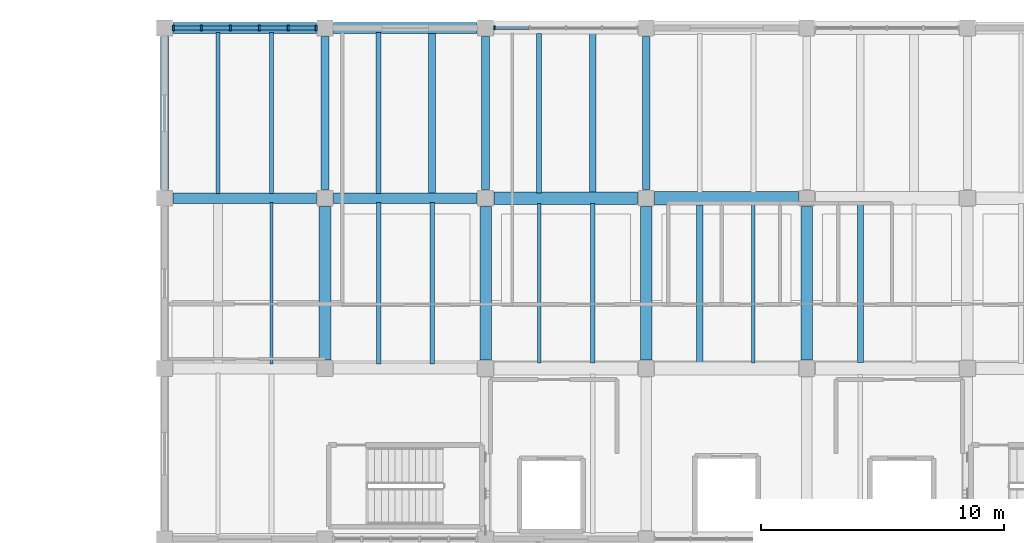
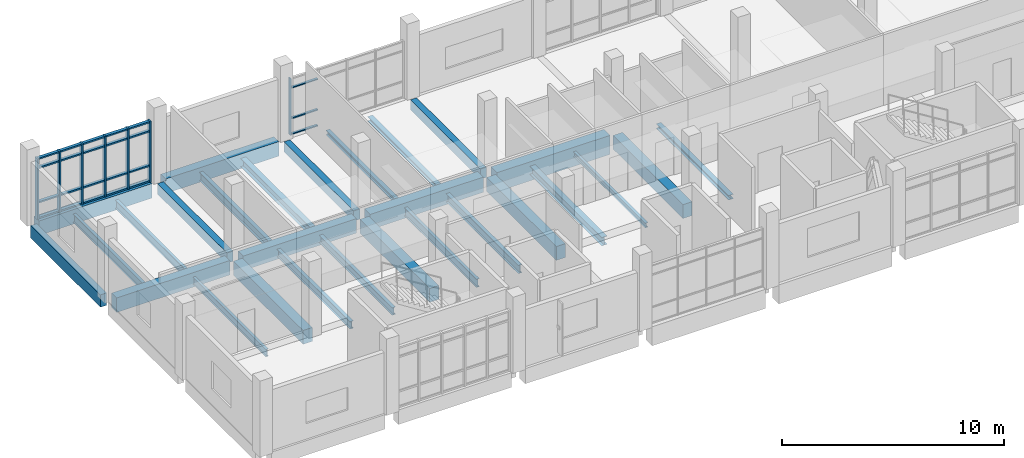
# One storey, part 3 of 16: 30 members, 28 beams, 2 elements without a shape of their own.
"""IFC4 building model written with IfcOpenShell, lengths in metres."""

from ifc_helpers import new_model, si_unit, direction, frame, origin, origin_2d, place, context, subcontext, project, spatial, rectangle, i_section, extrude, material, material_profile, profile_set, type_object, element, aggregate, save


model = new_model("IFC4")

# Units and contexts
model_context = context("Model", 3, precision=1e-05, world=origin(), true_north=direction((0.0, 1.0)))
body_context = subcontext(model_context, "Body", "Model", "MODEL_VIEW")
ifc_project = project(units=[si_unit("LENGTHUNIT", "METRE"), si_unit("AREAUNIT", "SQUARE_METRE"), si_unit("VOLUMEUNIT", "CUBIC_METRE"), si_unit("PLANEANGLEUNIT", "RADIAN"), si_unit("MASSUNIT", "GRAM", prefix="KILO")], contexts=[model_context])

# Site, building, storey
site_placement = place(None, origin())
site = spatial("IfcSite", under=ifc_project, at=site_placement, CompositionType="ELEMENT")
building_placement = place(site_placement, origin())
building = spatial("IfcBuilding", under=site, at=building_placement, Name="Ciguamira Faculty of Natural Sciences", CompositionType="ELEMENT")
storey_placement = place(building_placement, frame((0.0, 0.0, 25.199951171875)))
storey = spatial("IfcBuildingStorey", under=building, at=storey_placement, Name="L06", CompositionType="ELEMENT", Elevation=25.199951171875)

# Curtain wall, member
ifc_material_1 = material(Name="Anodized aluminium curtain wall", Category="aluminium")
curtain_wall_type_1 = type_object("IfcCurtainWallType", Name="CurtainWall_CW-01", PredefinedType="USERDEFINED", material=ifc_material_1)
curtain_wall_1_placement = place(storey_placement, origin())
curtain_wall_1 = element("IfcCurtainWall", 1, at=curtain_wall_1_placement, inside=storey, type_object=curtain_wall_type_1, Name="L06 unitised curtain wall 0145", ObjectType="UNITISED CURTAIN WALL", PredefinedType="USERDEFINED")
ifc_material_2 = material(Name="Anodized aluminium mullion", Category="aluminium")
ifc_material_profile_1 = material_profile(ifc_material_2, rectangle(XDim=0.06005859375, YDim=0.159912109375, at=origin_2d()), Name="ALU-MUL-60X160")
ifc_profile_set_1 = profile_set([ifc_material_profile_1], Name="Anodized aluminium mullion")
member_type_1 = type_object("IfcMemberType", Name="CWMullion_CWM-01", PredefinedType="MULLION", material=ifc_profile_set_1)
member_1_placement = place(storey_placement, frame((77.455078125, 115.0, 0.0), z_axis=(0.0, 0.0, 1.0), x_axis=(1.0, 0.0, 0.0)))
member_1 = element("IfcMember", 2, at=member_1_placement, type_object=member_type_1, Name="CW-01 mullion 1", PredefinedType="MULLION", context=body_context, shape_type="SweptSolid", body=[
    extrude(rectangle(XDim=0.06005859375, YDim=0.159912109375, at=origin_2d()), origin(), (0.0, 0.0, 1.0), 3.135009765625),
])

# Curtain wall, members
curtain_wall_type_2 = type_object("IfcCurtainWallType", Name="CurtainWall_CW-12", PredefinedType="USERDEFINED", material=ifc_material_1)
curtain_wall_2_placement = place(storey_placement, origin())
curtain_wall_2 = element("IfcCurtainWall", 3, at=curtain_wall_2_placement, inside=storey, type_object=curtain_wall_type_2, Name="L06 unitised curtain wall 0144", ObjectType="UNITISED CURTAIN WALL", PredefinedType="USERDEFINED")
ifc_material_profile_2 = material_profile(ifc_material_2, rectangle(XDim=0.080078125, YDim=0.219970703125, at=origin_2d()), Name="ALU-MUL-80X220")
ifc_profile_set_2 = profile_set([ifc_material_profile_2], Name="Anodized aluminium mullion")
member_type_2 = type_object("IfcMemberType", Name="CWMullion_CWM-03", PredefinedType="MULLION", material=ifc_profile_set_2)
member_2_placement = place(storey_placement, frame((64.264892578125, 115.0, 0.0), z_axis=(0.0, 0.0, 1.0), x_axis=(1.0, 0.0, 0.0)))
member_2 = element("IfcMember", 4, at=member_2_placement, type_object=member_type_2, Name="CW-12 mullion 1", PredefinedType="MULLION", context=body_context, shape_type="SweptSolid", body=[
    extrude(rectangle(XDim=0.080078125, YDim=0.219970703125, at=origin_2d()), origin(), (0.0, 0.0, 1.0), 3.344970703125),
])
member_3_placement = place(storey_placement, frame((65.4150390625, 115.0, 0.0), z_axis=(0.0, 0.0, 1.0), x_axis=(1.0, 0.0, 0.0)))
member_3 = element("IfcMember", 5, at=member_3_placement, type_object=member_type_2, Name="CW-12 mullion 2", PredefinedType="MULLION", context=body_context, shape_type="SweptSolid", body=[
    extrude(rectangle(XDim=0.080078125, YDim=0.219970703125, at=origin_2d()), origin(), (0.0, 0.0, 1.0), 3.344970703125),
])
member_4_placement = place(storey_placement, frame((66.60498046875, 115.0, 0.0), z_axis=(0.0, 0.0, 1.0), x_axis=(1.0, 0.0, 0.0)))
member_4 = element("IfcMember", 6, at=member_4_placement, type_object=member_type_2, Name="CW-12 mullion 3", PredefinedType="MULLION", context=body_context, shape_type="SweptSolid", body=[
    extrude(rectangle(XDim=0.080078125, YDim=0.219970703125, at=origin_2d()), origin(), (0.0, 0.0, 1.0), 3.344970703125),
])
member_5_placement = place(storey_placement, frame((67.794921875, 115.0, 0.0), z_axis=(0.0, 0.0, 1.0), x_axis=(1.0, 0.0, 0.0)))
member_5 = element("IfcMember", 7, at=member_5_placement, type_object=member_type_2, Name="CW-12 mullion 4", PredefinedType="MULLION", context=body_context, shape_type="SweptSolid", body=[
    extrude(rectangle(XDim=0.080078125, YDim=0.219970703125, at=origin_2d()), origin(), (0.0, 0.0, 1.0), 3.344970703125),
])
member_6_placement = place(storey_placement, frame((68.985107421875, 115.0, 0.0), z_axis=(0.0, 0.0, 1.0), x_axis=(1.0, 0.0, 0.0)))
member_6 = element("IfcMember", 8, at=member_6_placement, type_object=member_type_2, Name="CW-12 mullion 5", PredefinedType="MULLION", context=body_context, shape_type="SweptSolid", body=[
    extrude(rectangle(XDim=0.080078125, YDim=0.219970703125, at=origin_2d()), origin(), (0.0, 0.0, 1.0), 3.344970703125),
])
member_7_placement = place(storey_placement, frame((70.135009765625, 115.0, 0.0), z_axis=(0.0, 0.0, 1.0), x_axis=(1.0, 0.0, 0.0)))
member_7 = element("IfcMember", 9, at=member_7_placement, type_object=member_type_2, Name="CW-12 mullion 6", PredefinedType="MULLION", context=body_context, shape_type="SweptSolid", body=[
    extrude(rectangle(XDim=0.080078125, YDim=0.219970703125, at=origin_2d()), origin(), (0.0, 0.0, 1.0), 3.344970703125),
])

# Member
ifc_material_3 = material(Name="Anodized aluminium transom", Category="aluminium")
ifc_material_profile_3 = material_profile(ifc_material_3, rectangle(XDim=0.06005859375, YDim=0.1201171875, at=origin_2d()), Name="ALU-TRN-60X120")
ifc_profile_set_3 = profile_set([ifc_material_profile_3], Name="Anodized aluminium transom")
member_type_3 = type_object("IfcMemberType", Name="CWTransom_CWT-01", PredefinedType="USERDEFINED", material=ifc_profile_set_3)
member_8_placement = place(storey_placement, frame((77.485107421875, 115.0, 0.030029296875), z_axis=(1.0, 0.0, 0.0), x_axis=(0.0, 0.0, 1.0)))
member_8 = element("IfcMember", 10, at=member_8_placement, type_object=member_type_3, Name="CW-01 transom 1.1", ObjectType="TRANSOM", PredefinedType="USERDEFINED", context=body_context, shape_type="SweptSolid", body=[
    extrude(rectangle(XDim=0.06005859375, YDim=0.1201171875, at=origin_2d()), origin(), (0.0, 0.0, 1.0), 1.3974609375),
])

member_9_placement = place(storey_placement, frame((77.485107421875, 115.0, 0.900146484375), z_axis=(1.0, 0.0, 0.0), x_axis=(0.0, 0.0, 1.0)))
member_9 = element("IfcMember", 11, at=member_9_placement, type_object=member_type_3, Name="CW-01 transom 1.2", ObjectType="TRANSOM", PredefinedType="USERDEFINED", context=body_context, shape_type="SweptSolid", body=[
    extrude(rectangle(XDim=0.06005859375, YDim=0.1201171875, at=origin_2d()), origin(), (0.0, 0.0, 1.0), 1.3974609375),
])

member_10_placement = place(storey_placement, frame((77.485107421875, 115.0, 2.5849609375), z_axis=(1.0, 0.0, 0.0), x_axis=(0.0, 0.0, 1.0)))
member_10 = element("IfcMember", 12, at=member_10_placement, type_object=member_type_3, Name="CW-01 transom 1.3", ObjectType="TRANSOM", PredefinedType="USERDEFINED", context=body_context, shape_type="SweptSolid", body=[
    extrude(rectangle(XDim=0.06005859375, YDim=0.1201171875, at=origin_2d()), origin(), (0.0, 0.0, 1.0), 1.3974609375),
])

aggregate(curtain_wall_1, [member_1, member_8, member_9, member_10])

ifc_material_profile_4 = material_profile(ifc_material_3, rectangle(XDim=0.080078125, YDim=0.159912109375, at=origin_2d()), Name="ALU-TRN-80X160")
ifc_profile_set_4 = profile_set([ifc_material_profile_4], Name="Anodized aluminium transom")
member_type_4 = type_object("IfcMemberType", Name="CWTransom_CWT-03", PredefinedType="USERDEFINED", material=ifc_profile_set_4)
member_11_placement = place(storey_placement, frame((64.304931640625, 115.0, 0.0400390625), z_axis=(1.0, 0.0, 0.0), x_axis=(0.0, 0.0, 1.0)))
member_11 = element("IfcMember", 13, at=member_11_placement, type_object=member_type_4, Name="CW-12 transom 1.1", ObjectType="TRANSOM", PredefinedType="USERDEFINED", context=body_context, shape_type="SweptSolid", body=[
    extrude(rectangle(XDim=0.080078125, YDim=0.159912109375, at=origin_2d()), origin(), (0.0, 0.0, 1.0), 1.070068359375),
])

member_12_placement = place(storey_placement, frame((64.304931640625, 115.0, 0.900146484375), z_axis=(1.0, 0.0, 0.0), x_axis=(0.0, 0.0, 1.0)))
member_12 = element("IfcMember", 14, at=member_12_placement, type_object=member_type_4, Name="CW-12 transom 1.2", ObjectType="TRANSOM", PredefinedType="USERDEFINED", context=body_context, shape_type="SweptSolid", body=[
    extrude(rectangle(XDim=0.080078125, YDim=0.159912109375, at=origin_2d()), origin(), (0.0, 0.0, 1.0), 1.070068359375),
])

member_13_placement = place(storey_placement, frame((64.304931640625, 115.0, 2.795166015625), z_axis=(1.0, 0.0, 0.0), x_axis=(0.0, 0.0, 1.0)))
member_13 = element("IfcMember", 15, at=member_13_placement, type_object=member_type_4, Name="CW-12 transom 1.3", ObjectType="TRANSOM", PredefinedType="USERDEFINED", context=body_context, shape_type="SweptSolid", body=[
    extrude(rectangle(XDim=0.080078125, YDim=0.159912109375, at=origin_2d()), origin(), (0.0, 0.0, 1.0), 1.070068359375),
])

member_14_placement = place(storey_placement, frame((64.304931640625, 115.0, 3.304931640625), z_axis=(1.0, 0.0, 0.0), x_axis=(0.0, 0.0, 1.0)))
member_14 = element("IfcMember", 16, at=member_14_placement, type_object=member_type_4, Name="CW-12 transom 1.4", ObjectType="TRANSOM", PredefinedType="USERDEFINED", context=body_context, shape_type="SweptSolid", body=[
    extrude(rectangle(XDim=0.080078125, YDim=0.159912109375, at=origin_2d()), origin(), (0.0, 0.0, 1.0), 1.070068359375),
])

member_15_placement = place(storey_placement, frame((65.455078125, 115.0, 0.0400390625), z_axis=(1.0, 0.0, 0.0), x_axis=(0.0, 0.0, 1.0)))
member_15 = element("IfcMember", 17, at=member_15_placement, type_object=member_type_4, Name="CW-12 transom 2.1", ObjectType="TRANSOM", PredefinedType="USERDEFINED", context=body_context, shape_type="SweptSolid", body=[
    extrude(rectangle(XDim=0.080078125, YDim=0.159912109375, at=origin_2d()), origin(), (0.0, 0.0, 1.0), 1.10986328125),
])

member_16_placement = place(storey_placement, frame((65.455078125, 115.0, 0.900146484375), z_axis=(1.0, 0.0, 0.0), x_axis=(0.0, 0.0, 1.0)))
member_16 = element("IfcMember", 18, at=member_16_placement, type_object=member_type_4, Name="CW-12 transom 2.2", ObjectType="TRANSOM", PredefinedType="USERDEFINED", context=body_context, shape_type="SweptSolid", body=[
    extrude(rectangle(XDim=0.080078125, YDim=0.159912109375, at=origin_2d()), origin(), (0.0, 0.0, 1.0), 1.10986328125),
])

member_17_placement = place(storey_placement, frame((65.455078125, 115.0, 2.795166015625), z_axis=(1.0, 0.0, 0.0), x_axis=(0.0, 0.0, 1.0)))
member_17 = element("IfcMember", 19, at=member_17_placement, type_object=member_type_4, Name="CW-12 transom 2.3", ObjectType="TRANSOM", PredefinedType="USERDEFINED", context=body_context, shape_type="SweptSolid", body=[
    extrude(rectangle(XDim=0.080078125, YDim=0.159912109375, at=origin_2d()), origin(), (0.0, 0.0, 1.0), 1.10986328125),
])

member_18_placement = place(storey_placement, frame((65.455078125, 115.0, 3.304931640625), z_axis=(1.0, 0.0, 0.0), x_axis=(0.0, 0.0, 1.0)))
member_18 = element("IfcMember", 20, at=member_18_placement, type_object=member_type_4, Name="CW-12 transom 2.4", ObjectType="TRANSOM", PredefinedType="USERDEFINED", context=body_context, shape_type="SweptSolid", body=[
    extrude(rectangle(XDim=0.080078125, YDim=0.159912109375, at=origin_2d()), origin(), (0.0, 0.0, 1.0), 1.10986328125),
])

member_19_placement = place(storey_placement, frame((66.64501953125, 115.0, 0.0400390625), z_axis=(1.0, 0.0, 0.0), x_axis=(0.0, 0.0, 1.0)))
member_19 = element("IfcMember", 21, at=member_19_placement, type_object=member_type_4, Name="CW-12 transom 3.1", ObjectType="TRANSOM", PredefinedType="USERDEFINED", context=body_context, shape_type="SweptSolid", body=[
    extrude(rectangle(XDim=0.080078125, YDim=0.159912109375, at=origin_2d()), origin(), (0.0, 0.0, 1.0), 1.10986328125),
])

member_20_placement = place(storey_placement, frame((66.64501953125, 115.0, 0.900146484375), z_axis=(1.0, 0.0, 0.0), x_axis=(0.0, 0.0, 1.0)))
member_20 = element("IfcMember", 22, at=member_20_placement, type_object=member_type_4, Name="CW-12 transom 3.2", ObjectType="TRANSOM", PredefinedType="USERDEFINED", context=body_context, shape_type="SweptSolid", body=[
    extrude(rectangle(XDim=0.080078125, YDim=0.159912109375, at=origin_2d()), origin(), (0.0, 0.0, 1.0), 1.10986328125),
])

member_21_placement = place(storey_placement, frame((66.64501953125, 115.0, 2.795166015625), z_axis=(1.0, 0.0, 0.0), x_axis=(0.0, 0.0, 1.0)))
member_21 = element("IfcMember", 23, at=member_21_placement, type_object=member_type_4, Name="CW-12 transom 3.3", ObjectType="TRANSOM", PredefinedType="USERDEFINED", context=body_context, shape_type="SweptSolid", body=[
    extrude(rectangle(XDim=0.080078125, YDim=0.159912109375, at=origin_2d()), origin(), (0.0, 0.0, 1.0), 1.10986328125),
])

member_22_placement = place(storey_placement, frame((66.64501953125, 115.0, 3.304931640625), z_axis=(1.0, 0.0, 0.0), x_axis=(0.0, 0.0, 1.0)))
member_22 = element("IfcMember", 24, at=member_22_placement, type_object=member_type_4, Name="CW-12 transom 3.4", ObjectType="TRANSOM", PredefinedType="USERDEFINED", context=body_context, shape_type="SweptSolid", body=[
    extrude(rectangle(XDim=0.080078125, YDim=0.159912109375, at=origin_2d()), origin(), (0.0, 0.0, 1.0), 1.10986328125),
])

member_23_placement = place(storey_placement, frame((67.8349609375, 115.0, 0.0400390625), z_axis=(1.0, 0.0, 0.0), x_axis=(0.0, 0.0, 1.0)))
member_23 = element("IfcMember", 25, at=member_23_placement, type_object=member_type_4, Name="CW-12 transom 4.1", ObjectType="TRANSOM", PredefinedType="USERDEFINED", context=body_context, shape_type="SweptSolid", body=[
    extrude(rectangle(XDim=0.080078125, YDim=0.159912109375, at=origin_2d()), origin(), (0.0, 0.0, 1.0), 1.110107421875),
])

member_24_placement = place(storey_placement, frame((67.8349609375, 115.0, 0.900146484375), z_axis=(1.0, 0.0, 0.0), x_axis=(0.0, 0.0, 1.0)))
member_24 = element("IfcMember", 26, at=member_24_placement, type_object=member_type_4, Name="CW-12 transom 4.2", ObjectType="TRANSOM", PredefinedType="USERDEFINED", context=body_context, shape_type="SweptSolid", body=[
    extrude(rectangle(XDim=0.080078125, YDim=0.159912109375, at=origin_2d()), origin(), (0.0, 0.0, 1.0), 1.110107421875),
])

member_25_placement = place(storey_placement, frame((67.8349609375, 115.0, 2.795166015625), z_axis=(1.0, 0.0, 0.0), x_axis=(0.0, 0.0, 1.0)))
member_25 = element("IfcMember", 27, at=member_25_placement, type_object=member_type_4, Name="CW-12 transom 4.3", ObjectType="TRANSOM", PredefinedType="USERDEFINED", context=body_context, shape_type="SweptSolid", body=[
    extrude(rectangle(XDim=0.080078125, YDim=0.159912109375, at=origin_2d()), origin(), (0.0, 0.0, 1.0), 1.110107421875),
])

member_26_placement = place(storey_placement, frame((67.8349609375, 115.0, 3.304931640625), z_axis=(1.0, 0.0, 0.0), x_axis=(0.0, 0.0, 1.0)))
member_26 = element("IfcMember", 28, at=member_26_placement, type_object=member_type_4, Name="CW-12 transom 4.4", ObjectType="TRANSOM", PredefinedType="USERDEFINED", context=body_context, shape_type="SweptSolid", body=[
    extrude(rectangle(XDim=0.080078125, YDim=0.159912109375, at=origin_2d()), origin(), (0.0, 0.0, 1.0), 1.110107421875),
])

member_27_placement = place(storey_placement, frame((69.02490234375, 115.0, 0.0400390625), z_axis=(1.0, 0.0, 0.0), x_axis=(0.0, 0.0, 1.0)))
member_27 = element("IfcMember", 29, at=member_27_placement, type_object=member_type_4, Name="CW-12 transom 5.1", ObjectType="TRANSOM", PredefinedType="USERDEFINED", context=body_context, shape_type="SweptSolid", body=[
    extrude(rectangle(XDim=0.080078125, YDim=0.159912109375, at=origin_2d()), origin(), (0.0, 0.0, 1.0), 1.070068359375),
])

member_28_placement = place(storey_placement, frame((69.02490234375, 115.0, 0.900146484375), z_axis=(1.0, 0.0, 0.0), x_axis=(0.0, 0.0, 1.0)))
member_28 = element("IfcMember", 30, at=member_28_placement, type_object=member_type_4, Name="CW-12 transom 5.2", ObjectType="TRANSOM", PredefinedType="USERDEFINED", context=body_context, shape_type="SweptSolid", body=[
    extrude(rectangle(XDim=0.080078125, YDim=0.159912109375, at=origin_2d()), origin(), (0.0, 0.0, 1.0), 1.070068359375),
])

member_29_placement = place(storey_placement, frame((69.02490234375, 115.0, 2.795166015625), z_axis=(1.0, 0.0, 0.0), x_axis=(0.0, 0.0, 1.0)))
member_29 = element("IfcMember", 31, at=member_29_placement, type_object=member_type_4, Name="CW-12 transom 5.3", ObjectType="TRANSOM", PredefinedType="USERDEFINED", context=body_context, shape_type="SweptSolid", body=[
    extrude(rectangle(XDim=0.080078125, YDim=0.159912109375, at=origin_2d()), origin(), (0.0, 0.0, 1.0), 1.070068359375),
])

member_30_placement = place(storey_placement, frame((69.02490234375, 115.0, 3.304931640625), z_axis=(1.0, 0.0, 0.0), x_axis=(0.0, 0.0, 1.0)))
member_30 = element("IfcMember", 32, at=member_30_placement, type_object=member_type_4, Name="CW-12 transom 5.4", ObjectType="TRANSOM", PredefinedType="USERDEFINED", context=body_context, shape_type="SweptSolid", body=[
    extrude(rectangle(XDim=0.080078125, YDim=0.159912109375, at=origin_2d()), origin(), (0.0, 0.0, 1.0), 1.070068359375),
])

aggregate(curtain_wall_2, [member_2, member_3, member_4, member_5, member_6, member_7, member_11, member_12, member_13, member_14, member_15, member_16, member_17, member_18, member_19, member_20, member_21, member_22, member_23, member_24, member_25, member_26, member_27, member_28, member_29, member_30])

# Beams
ifc_material_4 = material(Name="Concrete C40/50", Category="concrete")
ifc_material_profile_5 = material_profile(ifc_material_4, rectangle(XDim=0.550048828125, YDim=1.050048828125, at=origin_2d()), Name="RC-BM-550X1050")
ifc_profile_set_5 = profile_set([ifc_material_profile_5], Name="Concrete C40/50")
beam_type_1 = type_object("IfcBeamType", Name="RCBeam_BG-01_RC-BM-550X1050", PredefinedType="BEAM", material=ifc_profile_set_5)
beam_1_placement = place(storey_placement, frame((84.050048828125, 108.0, -0.52490234375), z_axis=(1.0, 0.0, 0.0), x_axis=(0.0, 1.0, 0.0)))
element("IfcBeam", 33, at=beam_1_placement, inside=storey, type_object=beam_type_1, Name="L06 RC girder EW-1513", PredefinedType="BEAM", context=body_context, shape_type="SweptSolid", body=[
    extrude(rectangle(XDim=0.550048828125, YDim=1.050048828125, at=origin_2d()), origin(), (0.0, 0.0, 1.0), 5.89990234375),
])
ifc_material_profile_6 = material_profile(ifc_material_4, rectangle(XDim=0.449951171875, YDim=0.800048828125, at=origin_2d()), Name="RC-BM-450X800")
ifc_profile_set_6 = profile_set([ifc_material_profile_6], Name="Concrete C40/50")
beam_type_2 = type_object("IfcBeamType", Name="RCBeam_BG-05_RC-BM-450X800", PredefinedType="BEAM", material=ifc_profile_set_6)
for number, where, z_axis, x_axis, name in (
    (34, (64.25, 108.0, -0.39990234375), (1.0, 0.0, 0.0), (0.0, 1.0, 0.0), "L06 RC girder EW-1510"),
    (35, (70.85009765625, 108.0, -0.39990234375), (1.0, 0.0, 0.0), (0.0, 1.0, 0.0), "L06 RC girder EW-1511"),
    (36, (64.25, 115.0, -0.39990234375), (1.0, 0.0, 0.0), (0.0, 1.0, 0.0), "L06 RC girder EW-1517"),
    (37, (70.85009765625, 115.0, -0.39990234375), (1.0, 0.0, 0.0), (0.0, 1.0, 0.0), "L06 RC girder EW-1518"),
):
    element("IfcBeam", number, at=place(storey_placement, frame(where, z_axis=z_axis, x_axis=x_axis)), inside=storey, type_object=beam_type_2, Name=name, PredefinedType="BEAM", context=body_context, shape_type="SweptSolid", body=[
        extrude(rectangle(XDim=0.449951171875, YDim=0.800048828125, at=origin_2d()), origin(), (0.0, 0.0, 1.0), 5.89990234375),
    ])
ifc_material_profile_7 = material_profile(ifc_material_4, rectangle(XDim=0.320068359375, YDim=0.56005859375, at=origin_2d()), Name="RC-BM-320X560")
ifc_profile_set_7 = profile_set([ifc_material_profile_7], Name="Concrete C40/50")
beam_type_3 = type_object("IfcBeamType", Name="RCBeam_BG-12_RC-BM-320X560", PredefinedType="BEAM", material=ifc_profile_set_7)
for number, where, z_axis, x_axis, name in (
    (38, (70.5, 108.35009765625, -0.280029296875), (0.0, 1.0, 0.0), (-1.0, 0.0, 0.0), "L06 girder NS-1528"),
    (39, (77.10009765625, 108.35009765625, -0.280029296875), (0.0, 1.0, 0.0), (-1.0, 0.0, 0.0), "L06 girder NS-1530"),
    (40, (83.699951171875, 108.35009765625, -0.280029296875), (0.0, 1.0, 0.0), (-1.0, 0.0, 0.0), "L06 girder NS-1533"),
):
    element("IfcBeam", number, at=place(storey_placement, frame(where, z_axis=z_axis, x_axis=x_axis)), inside=storey, type_object=beam_type_3, Name=name, PredefinedType="BEAM", context=body_context, shape_type="SweptSolid", body=[
        extrude(rectangle(XDim=0.320068359375, YDim=0.56005859375, at=origin_2d()), origin(), (0.0, 0.0, 1.0), 6.2998046875),
    ])
ifc_material_5 = material(Name="Precast concrete C40/50", Category="concrete")
ifc_material_profile_8 = material_profile(ifc_material_5, rectangle(XDim=0.320068359375, YDim=0.679931640625, at=origin_2d()), Name="RC-SP-320X680")
ifc_profile_set_8 = profile_set([ifc_material_profile_8], Name="Precast concrete C40/50")
beam_type_4 = type_object("IfcBeamType", Name="RCBeam_SP-02_RC-SP-320X680", PredefinedType="SPANDREL", material=ifc_profile_set_8)
beam_2_placement = place(storey_placement, frame((63.89990234375, 108.35009765625, -0.33984375), z_axis=(0.0, 1.0, 0.0), x_axis=(-1.0, 0.0, 0.0)))
element("IfcBeam", 41, at=beam_2_placement, inside=storey, type_object=beam_type_4, Name="L06 girder NS-1526", PredefinedType="SPANDREL", context=body_context, shape_type="SweptSolid", body=[
    extrude(rectangle(XDim=0.320068359375, YDim=0.679931640625, at=origin_2d()), origin(), (0.0, 0.0, 1.0), 6.2998046875),
])
ifc_material_profile_9 = material_profile(ifc_material_4, rectangle(XDim=0.47998046875, YDim=0.760009765625, at=origin_2d()), Name="RC-TB-480X760")
ifc_profile_set_9 = profile_set([ifc_material_profile_9], Name="Concrete C40/50")
beam_type_5 = type_object("IfcBeamType", Name="RCBeam_TB-01_RC-TB-480X760", PredefinedType="T_BEAM", material=ifc_profile_set_9)
for number, where, z_axis, x_axis, name in (
    (42, (70.5, 101.35009765625, -0.3798828125), (0.0, 1.0, 0.0), (-1.0, 0.0, 0.0), "L06 girder NS-1527"),
    (43, (77.10009765625, 101.35009765625, -0.3798828125), (0.0, 1.0, 0.0), (-1.0, 0.0, 0.0), "L06 girder NS-1529"),
    (44, (83.699951171875, 101.35009765625, -0.3798828125), (0.0, 1.0, 0.0), (-1.0, 0.0, 0.0), "L06 girder NS-1532"),
    (45, (90.300048828125, 101.35009765625, -0.3798828125), (0.0, 1.0, 0.0), (-1.0, 0.0, 0.0), "L06 girder NS-1535"),
):
    element("IfcBeam", number, at=place(storey_placement, frame(where, z_axis=z_axis, x_axis=x_axis)), inside=storey, type_object=beam_type_5, Name=name, PredefinedType="T_BEAM", context=body_context, shape_type="SweptSolid", body=[
        extrude(rectangle(XDim=0.47998046875, YDim=0.760009765625, at=origin_2d()), origin(), (0.0, 0.0, 1.0), 6.2998046875),
    ])
ifc_material_profile_10 = material_profile(ifc_material_4, rectangle(XDim=0.52001953125, YDim=0.840087890625, at=origin_2d()), Name="RC-TB-520X840")
ifc_profile_set_10 = profile_set([ifc_material_profile_10], Name="Concrete C40/50")
beam_type_6 = type_object("IfcBeamType", Name="RCBeam_TB-02_RC-TB-520X840", PredefinedType="T_BEAM", material=ifc_profile_set_10)
beam_3_placement = place(storey_placement, frame((77.449951171875, 108.0, -0.419921875), z_axis=(1.0, 0.0, 0.0), x_axis=(0.0, 1.0, 0.0)))
element("IfcBeam", 46, at=beam_3_placement, inside=storey, type_object=beam_type_6, Name="L06 RC girder EW-1512", PredefinedType="T_BEAM", context=body_context, shape_type="SweptSolid", body=[
    extrude(rectangle(XDim=0.52001953125, YDim=0.840087890625, at=origin_2d()), origin(), (0.0, 0.0, 1.0), 5.900146484375),
])
ifc_material_6 = material(Name="Steel ASTM A992 Grade 50", Category="steel")
ifc_material_profile_11 = material_profile(ifc_material_6, i_section(OverallWidth=0.14599609375, OverallDepth=0.259033203125, WebThickness=0.006103515625, FlangeThickness=0.009033203125, at=origin_2d()), Name="W10X22")
ifc_profile_set_11 = profile_set([ifc_material_profile_11], Name="Steel ASTM A992 Grade 50")
beam_type_7 = type_object("IfcBeamType", Name="SteelJoist_SJ-01_W10X22", PredefinedType="JOIST", material=ifc_profile_set_11)
beam_4_placement = place(storey_placement, frame((88.10009765625, 101.235107421875, -0.369384765625), z_axis=(0.0, 1.0, 0.0), x_axis=(-1.0, 0.0, 0.0)))
element("IfcBeam", 47, at=beam_4_placement, inside=storey, type_object=beam_type_7, Name="L06 composite steel joist 01398", PredefinedType="JOIST", context=body_context, shape_type="SweptSolid", body=[
    extrude(i_section(OverallWidth=0.14599609375, OverallDepth=0.259033203125, WebThickness=0.006103515625, FlangeThickness=0.009033203125, at=origin_2d()), origin(), (0.0, 0.0, 1.0), 6.52978515625),
])
ifc_material_profile_12 = material_profile(ifc_material_6, i_section(OverallWidth=0.2021484375, OverallDepth=0.2470703125, WebThickness=0.00732421875, FlangeThickness=0.010986328125, at=origin_2d()), Name="W10X33")
ifc_profile_set_12 = profile_set([ifc_material_profile_12], Name="Steel ASTM A992 Grade 50")
beam_type_8 = type_object("IfcBeamType", Name="SteelJoist_SJ-02_W10X33", PredefinedType="JOIST", material=ifc_profile_set_12)
beam_5_placement = place(storey_placement, frame((79.300048828125, 108.219970703125, -0.363525390625), z_axis=(0.0, 1.0, 0.0), x_axis=(-1.0, 0.0, 0.0)))
element("IfcBeam", 48, at=beam_5_placement, inside=storey, type_object=beam_type_8, Name="L06 composite steel joist 01395", PredefinedType="JOIST", context=body_context, shape_type="SweptSolid", body=[
    extrude(i_section(OverallWidth=0.2021484375, OverallDepth=0.2470703125, WebThickness=0.00732421875, FlangeThickness=0.010986328125, at=origin_2d()), origin(), (0.0, 0.0, 1.0), 6.56005859375),
])
ifc_material_profile_13 = material_profile(ifc_material_6, i_section(OverallWidth=0.25390625, OverallDepth=0.25390625, WebThickness=0.008544921875, FlangeThickness=0.01416015625, at=origin_2d()), Name="W10X49")
ifc_profile_set_13 = profile_set([ifc_material_profile_13], Name="Steel ASTM A992 Grade 50")
beam_type_9 = type_object("IfcBeamType", Name="SteelJoist_SJ-03_W10X49", PredefinedType="JOIST", material=ifc_profile_set_13)
beam_6_placement = place(storey_placement, frame((81.5, 108.219970703125, -0.366943359375), z_axis=(0.0, 1.0, 0.0), x_axis=(-1.0, 0.0, 0.0)))
element("IfcBeam", 49, at=beam_6_placement, inside=storey, type_object=beam_type_9, Name="L06 composite steel joist 01396", PredefinedType="JOIST", context=body_context, shape_type="SweptSolid", body=[
    extrude(i_section(OverallWidth=0.25390625, OverallDepth=0.25390625, WebThickness=0.008544921875, FlangeThickness=0.01416015625, at=origin_2d()), origin(), (0.0, 0.0, 1.0), 6.56005859375),
])
beam_7_placement = place(storey_placement, frame((92.5, 101.235107421875, -0.366943359375), z_axis=(0.0, 1.0, 0.0), x_axis=(-1.0, 0.0, 0.0)))
element("IfcBeam", 50, at=beam_7_placement, inside=storey, type_object=beam_type_9, Name="L06 composite steel joist 01402", PredefinedType="JOIST", context=body_context, shape_type="SweptSolid", body=[
    extrude(i_section(OverallWidth=0.25390625, OverallDepth=0.25390625, WebThickness=0.008544921875, FlangeThickness=0.01416015625, at=origin_2d()), origin(), (0.0, 0.0, 1.0), 6.52978515625),
])
ifc_material_profile_14 = material_profile(ifc_material_6, i_section(OverallWidth=0.140380859375, OverallDepth=0.40380859375, WebThickness=0.007080078125, FlangeThickness=0.01123046875, at=origin_2d()), Name="W16X31")
ifc_profile_set_14 = profile_set([ifc_material_profile_14], Name="Steel ASTM A992 Grade 50")
beam_type_10 = type_object("IfcBeamType", Name="SteelJoist_SJ-17_W16X31", PredefinedType="JOIST", material=ifc_profile_set_14)
beam_8_placement = place(storey_placement, frame((68.300048828125, 101.18505859375, -0.44189453125), z_axis=(0.0, 1.0, 0.0), x_axis=(-1.0, 0.0, 0.0)))
element("IfcBeam", 51, at=beam_8_placement, inside=storey, type_object=beam_type_10, Name="L06 composite steel joist 01385", PredefinedType="JOIST", context=body_context, shape_type="SweptSolid", body=[
    extrude(i_section(OverallWidth=0.140380859375, OverallDepth=0.40380859375, WebThickness=0.007080078125, FlangeThickness=0.01123046875, at=origin_2d()), origin(), (0.0, 0.0, 1.0), 6.6298828125),
])
ifc_material_profile_15 = material_profile(ifc_material_6, i_section(OverallWidth=0.1787109375, OverallDepth=0.408935546875, WebThickness=0.0087890625, FlangeThickness=0.014404296875, at=origin_2d()), Name="W16X45")
ifc_profile_set_15 = profile_set([ifc_material_profile_15], Name="Steel ASTM A992 Grade 50")
beam_type_11 = type_object("IfcBeamType", Name="SteelJoist_SJ-19_W16X45", PredefinedType="JOIST", material=ifc_profile_set_15)
beam_9_placement = place(storey_placement, frame((72.699951171875, 101.18505859375, -0.4443359375), z_axis=(0.0, 1.0, 0.0), x_axis=(-1.0, 0.0, 0.0)))
element("IfcBeam", 52, at=beam_9_placement, inside=storey, type_object=beam_type_11, Name="L06 composite steel joist 01388", PredefinedType="JOIST", context=body_context, shape_type="SweptSolid", body=[
    extrude(i_section(OverallWidth=0.1787109375, OverallDepth=0.408935546875, WebThickness=0.0087890625, FlangeThickness=0.014404296875, at=origin_2d()), origin(), (0.0, 0.0, 1.0), 6.6298828125),
])
ifc_material_profile_16 = material_profile(ifc_material_6, i_section(OverallWidth=0.180908203125, OverallDepth=0.41650390625, WebThickness=0.010986328125, FlangeThickness=0.01806640625, at=origin_2d()), Name="W16X57")
ifc_profile_set_16 = profile_set([ifc_material_profile_16], Name="Steel ASTM A992 Grade 50")
beam_type_12 = type_object("IfcBeamType", Name="SteelJoist_SJ-20_W16X57", PredefinedType="JOIST", material=ifc_profile_set_16)
beam_10_placement = place(storey_placement, frame((74.89990234375, 101.18505859375, -0.4482421875), z_axis=(0.0, 1.0, 0.0), x_axis=(-1.0, 0.0, 0.0)))
element("IfcBeam", 53, at=beam_10_placement, inside=storey, type_object=beam_type_12, Name="L06 composite steel joist 01389", PredefinedType="JOIST", context=body_context, shape_type="SweptSolid", body=[
    extrude(i_section(OverallWidth=0.180908203125, OverallDepth=0.41650390625, WebThickness=0.010986328125, FlangeThickness=0.01806640625, at=origin_2d()), origin(), (0.0, 0.0, 1.0), 6.6298828125),
])
ifc_material_profile_17 = material_profile(ifc_material_6, i_section(OverallWidth=0.15234375, OverallDepth=0.449462890625, WebThickness=0.007568359375, FlangeThickness=0.0107421875, at=origin_2d()), Name="W18X35")
ifc_profile_set_17 = profile_set([ifc_material_profile_17], Name="Steel ASTM A992 Grade 50")
beam_type_13 = type_object("IfcBeamType", Name="SteelJoist_SJ-21_W18X35", PredefinedType="JOIST", material=ifc_profile_set_17)
beam_11_placement = place(storey_placement, frame((66.10009765625, 108.18505859375, -0.46484375), z_axis=(0.0, 1.0, 0.0), x_axis=(-1.0, 0.0, 0.0)))
element("IfcBeam", 54, at=beam_11_placement, inside=storey, type_object=beam_type_13, Name="L06 composite steel joist 01386", PredefinedType="JOIST", context=body_context, shape_type="SweptSolid", body=[
    extrude(i_section(OverallWidth=0.15234375, OverallDepth=0.449462890625, WebThickness=0.007568359375, FlangeThickness=0.0107421875, at=origin_2d()), origin(), (0.0, 0.0, 1.0), 6.6298828125),
])
ifc_material_profile_18 = material_profile(ifc_material_6, i_section(OverallWidth=0.15283203125, OverallDepth=0.45458984375, WebThickness=0.008056640625, FlangeThickness=0.013427734375, at=origin_2d()), Name="W18X40")
ifc_profile_set_18 = profile_set([ifc_material_profile_18], Name="Steel ASTM A992 Grade 50")
beam_type_14 = type_object("IfcBeamType", Name="SteelJoist_SJ-22_W18X40", PredefinedType="JOIST", material=ifc_profile_set_18)
beam_12_placement = place(storey_placement, frame((68.300048828125, 108.18505859375, -0.46728515625), z_axis=(0.0, 1.0, 0.0), x_axis=(-1.0, 0.0, 0.0)))
element("IfcBeam", 55, at=beam_12_placement, inside=storey, type_object=beam_type_14, Name="L06 composite steel joist 01387", PredefinedType="JOIST", context=body_context, shape_type="SweptSolid", body=[
    extrude(i_section(OverallWidth=0.15283203125, OverallDepth=0.45458984375, WebThickness=0.008056640625, FlangeThickness=0.013427734375, at=origin_2d()), origin(), (0.0, 0.0, 1.0), 6.6298828125),
])
beam_13_placement = place(storey_placement, frame((79.300048828125, 101.219970703125, -0.46728515625), z_axis=(0.0, 1.0, 0.0), x_axis=(-1.0, 0.0, 0.0)))
element("IfcBeam", 56, at=beam_13_placement, inside=storey, type_object=beam_type_14, Name="L06 composite steel joist 01393", PredefinedType="JOIST", context=body_context, shape_type="SweptSolid", body=[
    extrude(i_section(OverallWidth=0.15283203125, OverallDepth=0.45458984375, WebThickness=0.008056640625, FlangeThickness=0.013427734375, at=origin_2d()), origin(), (0.0, 0.0, 1.0), 6.56005859375),
])
ifc_material_profile_19 = material_profile(ifc_material_6, i_section(OverallWidth=0.1904296875, OverallDepth=0.457275390625, WebThickness=0.009033203125, FlangeThickness=0.014404296875, at=origin_2d()), Name="W18X50")
ifc_profile_set_19 = profile_set([ifc_material_profile_19], Name="Steel ASTM A992 Grade 50")
beam_type_15 = type_object("IfcBeamType", Name="SteelJoist_SJ-23_W18X50", PredefinedType="JOIST", material=ifc_profile_set_19)
beam_14_placement = place(storey_placement, frame((81.5, 101.219970703125, -0.468505859375), z_axis=(0.0, 1.0, 0.0), x_axis=(-1.0, 0.0, 0.0)))
element("IfcBeam", 57, at=beam_14_placement, inside=storey, type_object=beam_type_15, Name="L06 composite steel joist 01394", PredefinedType="JOIST", context=body_context, shape_type="SweptSolid", body=[
    extrude(i_section(OverallWidth=0.1904296875, OverallDepth=0.457275390625, WebThickness=0.009033203125, FlangeThickness=0.014404296875, at=origin_2d()), origin(), (0.0, 0.0, 1.0), 6.56005859375),
])
ifc_material_profile_20 = material_profile(ifc_material_6, i_section(OverallWidth=0.19287109375, OverallDepth=0.46728515625, WebThickness=0.011474609375, FlangeThickness=0.01904296875, at=origin_2d()), Name="W18X65")
ifc_profile_set_20 = profile_set([ifc_material_profile_20], Name="Steel ASTM A992 Grade 50")
beam_type_16 = type_object("IfcBeamType", Name="SteelJoist_SJ-24_W18X65", PredefinedType="JOIST", material=ifc_profile_set_20)
beam_15_placement = place(storey_placement, frame((72.699951171875, 108.18505859375, -0.4736328125), z_axis=(0.0, 1.0, 0.0), x_axis=(-1.0, 0.0, 0.0)))
element("IfcBeam", 58, at=beam_15_placement, inside=storey, type_object=beam_type_16, Name="L06 composite steel joist 01390", PredefinedType="JOIST", context=body_context, shape_type="SweptSolid", body=[
    extrude(i_section(OverallWidth=0.19287109375, OverallDepth=0.46728515625, WebThickness=0.011474609375, FlangeThickness=0.01904296875, at=origin_2d()), origin(), (0.0, 0.0, 1.0), 6.6298828125),
])
ifc_material_profile_21 = material_profile(ifc_material_6, i_section(OverallWidth=0.279296875, OverallDepth=0.462158203125, WebThickness=0.0107421875, FlangeThickness=0.017333984375, at=origin_2d()), Name="W18X76")
ifc_profile_set_21 = profile_set([ifc_material_profile_21], Name="Steel ASTM A992 Grade 50")
beam_type_17 = type_object("IfcBeamType", Name="SteelJoist_SJ-25_W18X76", PredefinedType="JOIST", material=ifc_profile_set_21)
beam_16_placement = place(storey_placement, frame((74.89990234375, 108.18505859375, -0.470947265625), z_axis=(0.0, 1.0, 0.0), x_axis=(-1.0, 0.0, 0.0)))
element("IfcBeam", 59, at=beam_16_placement, inside=storey, type_object=beam_type_17, Name="L06 composite steel joist 01391", PredefinedType="JOIST", context=body_context, shape_type="SweptSolid", body=[
    extrude(i_section(OverallWidth=0.279296875, OverallDepth=0.462158203125, WebThickness=0.0107421875, FlangeThickness=0.017333984375, at=origin_2d()), origin(), (0.0, 0.0, 1.0), 6.6298828125),
])
beam_17_placement = place(storey_placement, frame((85.89990234375, 101.235107421875, -0.470947265625), z_axis=(0.0, 1.0, 0.0), x_axis=(-1.0, 0.0, 0.0)))
element("IfcBeam", 60, at=beam_17_placement, inside=storey, type_object=beam_type_17, Name="L06 composite steel joist 01397", PredefinedType="JOIST", context=body_context, shape_type="SweptSolid", body=[
    extrude(i_section(OverallWidth=0.279296875, OverallDepth=0.462158203125, WebThickness=0.0107421875, FlangeThickness=0.017333984375, at=origin_2d()), origin(), (0.0, 0.0, 1.0), 6.52978515625),
])

save(model, "model.ifc")
